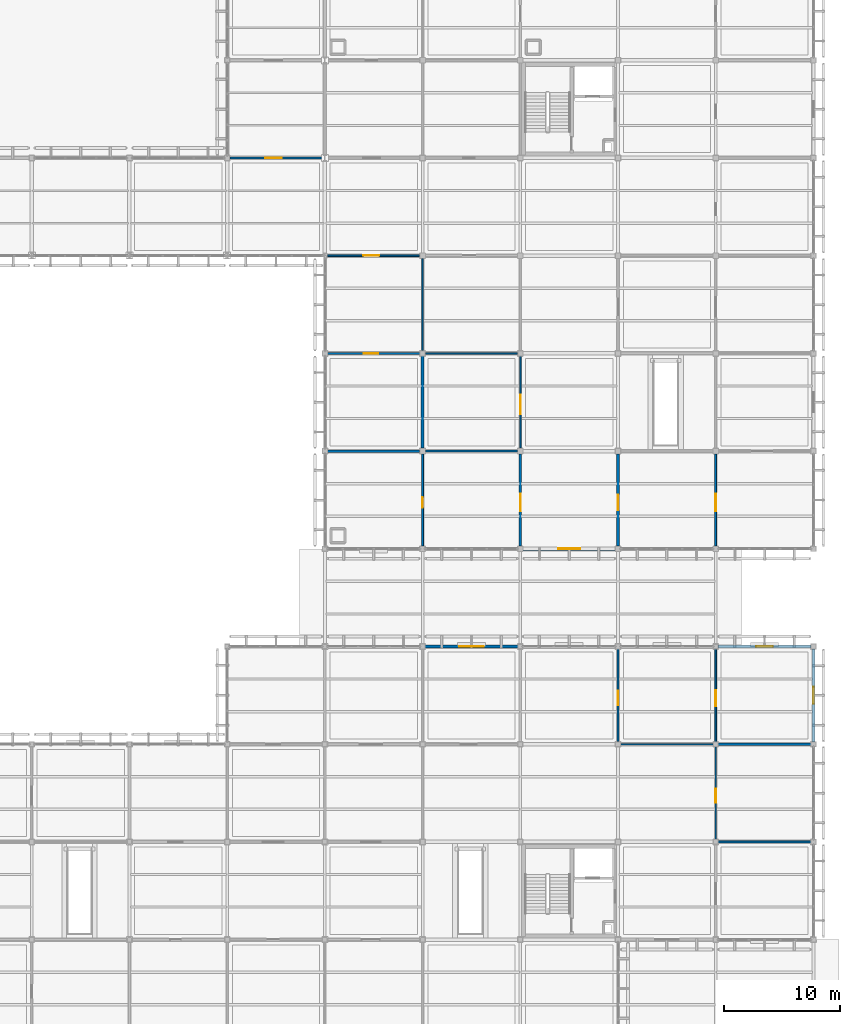
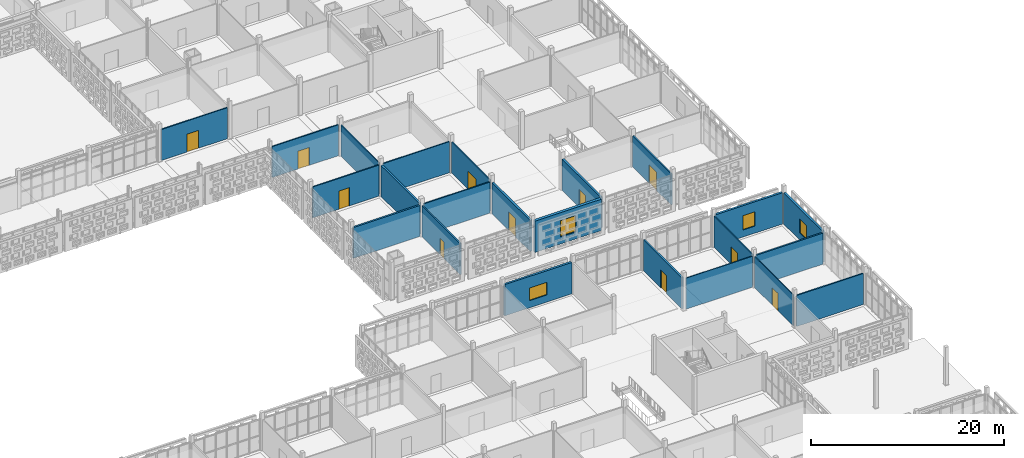
# One storey, part 126 of 203: 23 walls, 11 doors, 4 windows, 15 openings.
"""IFC4 building model written with IfcOpenShell, lengths in metres."""

from ifc_helpers import new_model, si_unit, direction, frame, frame_2d, origin, place, context, subcontext, project, spatial, rectangle, extrude, material, layer, layer_set, type_object, element, fill, save


model = new_model("IFC4")

# Units and contexts
model_context = context("Model", 3, precision=1e-05, world=origin(), true_north=direction((0.0, 1.0)))
body_context = subcontext(model_context, "Body", "Model", "MODEL_VIEW")
ifc_project = project(units=[si_unit("LENGTHUNIT", "METRE"), si_unit("AREAUNIT", "SQUARE_METRE"), si_unit("VOLUMEUNIT", "CUBIC_METRE"), si_unit("PLANEANGLEUNIT", "RADIAN"), si_unit("MASSUNIT", "GRAM", prefix="KILO")], contexts=[model_context])

# Site, building, storey
site_placement = place(None, origin())
site = spatial("IfcSite", under=ifc_project, at=site_placement, CompositionType="ELEMENT")
building_placement = place(site_placement, origin())
building = spatial("IfcBuilding", under=site, at=building_placement, Name="Varnapada Polytechnic", CompositionType="ELEMENT")
storey_placement = place(building_placement, frame((0.0, 0.0, 4.800048828125)))
storey = spatial("IfcBuildingStorey", under=building, at=storey_placement, Name="L01", CompositionType="ELEMENT", Elevation=4.800048828125)

# Wall, opening, door
ifc_material_1 = material(Name="Autoclaved Aerated Concrete Block AAC-600", Category="concrete")
ifc_layer_1 = layer(ifc_material_1, 0.14990234375)
ifc_layer_set_1 = layer_set([ifc_layer_1], Name="Autoclaved Aerated Concrete Block AAC-600")
wall_type_1 = type_object("IfcWallType", Name="Interior Wall IW-02", PredefinedType="PARTITIONING", material=ifc_layer_set_1)
wall_1_placement = place(storey_placement, frame((134.6298828125, 75.60009765625, 0.0), z_axis=(0.0, 0.0, 1.0), x_axis=(1.0, 0.0, 0.0)))
wall_1 = element("IfcWall", 1, at=wall_1_placement, inside=storey, type_object=wall_type_1, Name="L01 interior partition IW-L01-16-08-H", PredefinedType="PARTITIONING", context=body_context, shape_type="SweptSolid", body=[
    extrude(rectangle(XDim=7.93017578125, YDim=0.14990234375, at=frame_2d((3.965087890625, 0.0))), origin(), (0.0, 0.0, 1.0), 3.909912109375),
])
opening_1_placement = place(wall_1_placement, frame((3.125, 0.0, 0.0)))
opening_1 = element("IfcOpeningElement", 2, at=opening_1_placement, cuts=wall_1, Name="Opening D-1051", PredefinedType="OPENING", context=body_context, shape_type="SweptSolid", body=[
    extrude(rectangle(XDim=1.25, YDim=2.300048828125, at=frame_2d((0.625, 1.14990234375))), frame((0.0, 0.0849609375, 0.0), z_axis=(0.0, -1.0, 0.0), x_axis=(1.0, 0.0, 0.0)), (0.0, 0.0, 1.0), 0.169921875),
])
ifc_material_2 = material(Name="Solid Teak Hardwood Timber", Category="wood")
door_type_1 = type_object("IfcDoorType", Name="Interior Door ID-16", OperationType="NOTDEFINED", PredefinedType="DOOR", material=ifc_material_2)
door_1_placement = place(opening_1_placement, origin())
door_1 = element("IfcDoor", 3, at=door_1_placement, inside=storey, type_object=door_type_1, Name="L01 interior room door D-1051", OperationType="SINGLE_SWING_RIGHT", OverallHeight=2.300048828125, OverallWidth=1.25, PredefinedType="DOOR", context=body_context, shape_type="SweptSolid", body=[
    extrude(rectangle(XDim=1.25, YDim=2.300048828125, at=frame_2d((0.625, 1.14990234375))), frame((0.0, 0.02490234375, 0.0), z_axis=(0.0, -1.0, 0.0), x_axis=(1.0, 0.0, 0.0)), (0.0, 0.0, 1.0), 0.050048828125),
])
fill(opening_1, door_1)

# Walls
wall_2_placement = place(storey_placement, frame((143.050048828125, 67.199951171875, 0.0), z_axis=(0.0, 0.0, 1.0), x_axis=(1.0, 0.0, 0.0)))
element("IfcWall", 4, at=wall_2_placement, inside=storey, type_object=wall_type_1, Name="L01 interior partition IW-L01-17-07-H", PredefinedType="PARTITIONING", context=body_context, shape_type="SweptSolid", body=[
    extrude(rectangle(XDim=7.89990234375, YDim=0.14990234375, at=frame_2d((3.949951171875, 0.0))), origin(), (0.0, 0.0, 1.0), 3.919921875),
])
ifc_material_3 = material(Name="Gypsum Plasterboard Acoustic Partition")
ifc_layer_2 = layer(ifc_material_3, 0.125)
ifc_layer_set_2 = layer_set([ifc_layer_2], Name="Gypsum Plasterboard Acoustic Partition")
wall_type_2 = type_object("IfcWallType", Name="Interior Wall IW-03", PredefinedType="PARTITIONING", material=ifc_layer_set_2)
wall_3_placement = place(storey_placement, frame((142.800048828125, 75.840087890625, 0.0), z_axis=(0.0, 0.0, 1.0), x_axis=(0.0, 1.0, 0.0)))
element("IfcWall", 5, at=wall_3_placement, inside=storey, type_object=wall_type_2, Name="L01 interior partition IW-L01-16-09-V", PredefinedType="PARTITIONING", context=body_context, shape_type="SweptSolid", body=[
    extrude(rectangle(XDim=7.909912109375, YDim=0.125, at=frame_2d((3.955078125, 0.0))), origin(), (0.0, 0.0, 1.0), 3.919921875),
])

# Wall, opening, door
wall_4_placement = place(storey_placement, frame((151.199951171875, 67.449951171875, 0.0), z_axis=(0.0, 0.0, 1.0), x_axis=(0.0, 1.0, 0.0)))
wall_4 = element("IfcWall", 6, at=wall_4_placement, inside=storey, type_object=wall_type_2, Name="L01 interior partition IW-L01-17-08-V", PredefinedType="PARTITIONING", context=body_context, shape_type="SweptSolid", body=[
    extrude(rectangle(XDim=7.91015625, YDim=0.125, at=frame_2d((3.955078125, 0.0))), origin(), (0.0, 0.0, 1.0), 3.919921875),
])
opening_2_placement = place(wall_4_placement, frame((2.925048828125, 0.0, 0.0)))
opening_2 = element("IfcOpeningElement", 7, at=opening_2_placement, cuts=wall_4, Name="Opening D-1060", PredefinedType="OPENING", context=body_context, shape_type="SweptSolid", body=[
    extrude(rectangle(XDim=1.64990234375, YDim=2.25, at=frame_2d((0.824951171875, 1.125))), frame((0.0, 0.072509765625, 0.0), z_axis=(0.0, -1.0, 0.0), x_axis=(1.0, 0.0, 0.0)), (0.0, 0.0, 1.0), 0.14501953125),
])
door_type_2 = type_object("IfcDoorType", Name="Interior Door ID-08", OperationType="NOTDEFINED", PredefinedType="DOOR", material=ifc_material_2)
door_2_placement = place(opening_2_placement, origin())
door_2 = element("IfcDoor", 8, at=door_2_placement, inside=storey, type_object=door_type_2, Name="L01 interior room door D-1060", OperationType="SINGLE_SWING_LEFT", OverallHeight=2.25, OverallWidth=1.64990234375, PredefinedType="DOOR", context=body_context, shape_type="SweptSolid", body=[
    extrude(rectangle(XDim=1.64990234375, YDim=2.25, at=frame_2d((0.824951171875, 1.125))), frame((0.0, 0.02490234375, 0.0), z_axis=(0.0, -1.0, 0.0), x_axis=(1.0, 0.0, 0.0)), (0.0, 0.0, 1.0), 0.050048828125),
])
fill(opening_2, door_2)

ifc_material_4 = material(Name="Moisture-Resistant Cement Board Partition")
ifc_layer_3 = layer(ifc_material_4, 0.139892578125)
ifc_layer_set_3 = layer_set([ifc_layer_3], Name="Moisture-Resistant Cement Board Partition")
wall_type_3 = type_object("IfcWallType", Name="Interior Wall IW-04", PredefinedType="PARTITIONING", material=ifc_layer_set_3)
wall_5_placement = place(storey_placement, frame((134.639892578125, 84.0, 0.0), z_axis=(0.0, 0.0, 1.0), x_axis=(1.0, 0.0, 0.0)))
wall_5 = element("IfcWall", 9, at=wall_5_placement, inside=storey, type_object=wall_type_3, Name="L01 interior partition IW-L01-16-09-H", PredefinedType="PARTITIONING", context=body_context, shape_type="SweptSolid", body=[
    extrude(rectangle(XDim=7.91015625, YDim=0.139892578125, at=frame_2d((3.955078125, 0.0))), origin(), (0.0, 0.0, 1.0), 3.909912109375),
])
opening_3_placement = place(wall_5_placement, frame((3.074951171875, 0.0, 0.0)))
opening_3 = element("IfcOpeningElement", 10, at=opening_3_placement, cuts=wall_5, Name="Opening D-1052", PredefinedType="OPENING", context=body_context, shape_type="SweptSolid", body=[
    extrude(rectangle(XDim=1.35009765625, YDim=2.25, at=frame_2d((0.675048828125, 1.125))), frame((0.0, 0.079833984375, 0.0), z_axis=(0.0, -1.0, 0.0), x_axis=(1.0, 0.0, 0.0)), (0.0, 0.0, 1.0), 0.159912109375),
])
ifc_material_5 = material(Name="Powder-Coated Aluminium 6063-T6", Category="aluminium")
door_type_3 = type_object("IfcDoorType", Name="Interior Door ID-17", OperationType="NOTDEFINED", PredefinedType="DOOR", material=ifc_material_5)
door_3_placement = place(opening_3_placement, frame((1.35009765625, 0.0, 0.0), z_axis=(0.0, 0.0, 1.0), x_axis=(-1.0, 0.0, 0.0)))
door_3 = element("IfcDoor", 11, at=door_3_placement, inside=storey, type_object=door_type_3, Name="L01 interior room door D-1052", OperationType="SINGLE_SWING_LEFT", OverallHeight=2.25, OverallWidth=1.35009765625, PredefinedType="DOOR", context=body_context, shape_type="SweptSolid", body=[
    extrude(rectangle(XDim=1.35009765625, YDim=2.25, at=frame_2d((0.675048828125, 1.125))), frame((0.0, 0.02490234375, 0.0), z_axis=(0.0, -1.0, 0.0), x_axis=(1.0, 0.0, 0.0)), (0.0, 0.0, 1.0), 0.050048828125),
])
fill(opening_3, door_3)

# Walls
wall_6_placement = place(storey_placement, frame((143.0400390625, 75.60009765625, 0.0), z_axis=(0.0, 0.0, 1.0), x_axis=(1.0, 0.0, 0.0)))
element("IfcWall", 12, at=wall_6_placement, inside=storey, type_object=wall_type_3, Name="L01 interior partition IW-L01-17-08-H", PredefinedType="PARTITIONING", context=body_context, shape_type="SweptSolid", body=[
    extrude(rectangle(XDim=7.919921875, YDim=0.139892578125, at=frame_2d((3.9599609375, 0.0))), origin(), (0.0, 0.0, 1.0), 3.919921875),
])
ifc_material_6 = material(Name="Cross-laminated timber CLT C24", Category="wood")
ifc_layer_4 = layer(ifc_material_6, 0.159912109375)
ifc_layer_set_4 = layer_set([ifc_layer_4], Name="Cross-laminated timber CLT C24")
wall_type_4 = type_object("IfcWallType", Name="Interior Wall IW-05", PredefinedType="PARTITIONING", material=ifc_layer_set_4)
wall_7_placement = place(storey_placement, frame((168.2099609375, 33.60009765625, 0.0), z_axis=(0.0, 0.0, 1.0), x_axis=(1.0, 0.0, 0.0)))
element("IfcWall", 13, at=wall_7_placement, inside=storey, type_object=wall_type_4, Name="L01 interior partition IW-L01-20-03-H", PredefinedType="PARTITIONING", context=body_context, shape_type="SweptSolid", body=[
    extrude(rectangle(XDim=7.969970703125, YDim=0.159912109375, at=frame_2d((3.98486328125, 0.0))), origin(), (0.0, 0.0, 1.0), 3.919921875),
])
ifc_material_7 = material(Name="Acoustic Double-Stud Studio Partition")
ifc_layer_5 = layer(ifc_material_7, 0.179931640625)
ifc_layer_set_5 = layer_set([ifc_layer_5], Name="Acoustic Double-Stud Studio Partition")
wall_type_5 = type_object("IfcWallType", Name="Interior Wall IW-06", PredefinedType="PARTITIONING", material=ifc_layer_set_5)
wall_8_placement = place(storey_placement, frame((168.2099609375, 42.0, 0.0), z_axis=(0.0, 0.0, 1.0), x_axis=(1.0, 0.0, 0.0)))
element("IfcWall", 14, at=wall_8_placement, inside=storey, type_object=wall_type_5, Name="L01 interior partition IW-L01-20-04-H", PredefinedType="PARTITIONING", context=body_context, shape_type="SweptSolid", body=[
    extrude(rectangle(XDim=7.969970703125, YDim=0.179931640625, at=frame_2d((3.98486328125, 0.0))), origin(), (0.0, 0.0, 1.0), 3.919921875),
])

# Wall, opening, door
ifc_material_8 = material(Name="Glazed Timber-Framed Studio Screen", Category="wood")
ifc_layer_6 = layer(ifc_material_8, 0.110107421875)
ifc_layer_set_6 = layer_set([ifc_layer_6], Name="Glazed Timber-Framed Studio Screen")
wall_type_6 = type_object("IfcWallType", Name="Interior Wall IW-07", PredefinedType="PARTITIONING", material=ifc_layer_set_6)
wall_9_placement = place(storey_placement, frame((168.0, 33.81005859375, 0.0), z_axis=(0.0, 0.0, 1.0), x_axis=(0.0, 1.0, 0.0)))
wall_9 = element("IfcWall", 15, at=wall_9_placement, inside=storey, type_object=wall_type_6, Name="L01 interior partition IW-L01-19-04-V", PredefinedType="PARTITIONING", context=body_context, shape_type="SweptSolid", body=[
    extrude(rectangle(XDim=7.97998046875, YDim=0.110107421875, at=frame_2d((3.989990234375, 0.0))), origin(), (0.0, 0.0, 1.0), 3.919921875),
])
opening_4_placement = place(wall_9_placement, frame((3.14990234375, 0.0, 0.0)))
opening_4 = element("IfcOpeningElement", 16, at=opening_4_placement, cuts=wall_9, Name="Opening D-1074", PredefinedType="OPENING", context=body_context, shape_type="SweptSolid", body=[
    extrude(rectangle(XDim=1.199951171875, YDim=2.199951171875, at=frame_2d((0.60009765625, 1.10009765625))), frame((0.0, 0.06494140625, 0.0), z_axis=(0.0, -1.0, 0.0), x_axis=(1.0, 0.0, 0.0)), (0.0, 0.0, 1.0), 0.130126953125),
])
door_type_4 = type_object("IfcDoorType", Name="Interior Door ID-05", OperationType="NOTDEFINED", PredefinedType="DOOR", material=ifc_material_2)
door_4_placement = place(opening_4_placement, origin())
door_4 = element("IfcDoor", 17, at=door_4_placement, inside=storey, type_object=door_type_4, Name="L01 interior room door D-1074", OperationType="SINGLE_SWING_LEFT", OverallHeight=2.199951171875, OverallWidth=1.199951171875, PredefinedType="DOOR", context=body_context, shape_type="SweptSolid", body=[
    extrude(rectangle(XDim=1.199951171875, YDim=2.199951171875, at=frame_2d((0.60009765625, 1.10009765625))), frame((0.0, 0.02490234375, 0.0), z_axis=(0.0, -1.0, 0.0), x_axis=(1.0, 0.0, 0.0)), (0.0, 0.0, 1.0), 0.050048828125),
])
fill(opening_4, door_4)

# Wall
ifc_material_9 = material(Name="Operable Acoustic Seminar Partition")
ifc_layer_7 = layer(ifc_material_9, 0.10009765625)
ifc_layer_set_7 = layer_set([ifc_layer_7], Name="Operable Acoustic Seminar Partition")
wall_type_7 = type_object("IfcWallType", Name="Interior Wall IW-08", PredefinedType="MOVABLE", material=ifc_layer_set_7)
wall_10_placement = place(storey_placement, frame((159.820068359375, 42.0, 0.0), z_axis=(0.0, 0.0, 1.0), x_axis=(1.0, 0.0, 0.0)))
element("IfcWall", 18, at=wall_10_placement, inside=storey, type_object=wall_type_7, Name="L01 interior partition IW-L01-19-04-H", PredefinedType="MOVABLE", context=body_context, shape_type="SweptSolid", body=[
    extrude(rectangle(XDim=7.969970703125, YDim=0.10009765625, at=frame_2d((3.98486328125, 0.0))), origin(), (0.0, 0.0, 1.0), 3.919921875),
])

# Wall, opening, door
ifc_material_10 = material(Name="Calcium Silicate Acoustic Lab Partition")
ifc_layer_8 = layer(ifc_material_10, 0.135009765625)
ifc_layer_set_8 = layer_set([ifc_layer_8], Name="Calcium Silicate Acoustic Lab Partition")
wall_type_8 = type_object("IfcWallType", Name="Interior Wall IW-09", PredefinedType="PARTITIONING", material=ifc_layer_set_8)
wall_11_placement = place(storey_placement, frame((168.0, 42.2099609375, 0.0), z_axis=(0.0, 0.0, 1.0), x_axis=(0.0, 1.0, 0.0)))
wall_11 = element("IfcWall", 19, at=wall_11_placement, inside=storey, type_object=wall_type_8, Name="L01 interior partition IW-L01-19-05-V", PredefinedType="PARTITIONING", context=body_context, shape_type="SweptSolid", body=[
    extrude(rectangle(XDim=7.97998046875, YDim=0.135009765625, at=frame_2d((3.989990234375, 0.0))), origin(), (0.0, 0.0, 1.0), 3.919921875),
])
opening_5_placement = place(wall_11_placement, frame((3.050048828125, 0.0, 0.0)))
opening_5 = element("IfcOpeningElement", 20, at=opening_5_placement, cuts=wall_11, Name="Opening D-1075", PredefinedType="OPENING", context=body_context, shape_type="SweptSolid", body=[
    extrude(rectangle(XDim=1.39990234375, YDim=2.25, at=frame_2d((0.699951171875, 1.125))), frame((0.0, 0.077392578125, 0.0), z_axis=(0.0, -1.0, 0.0), x_axis=(1.0, 0.0, 0.0)), (0.0, 0.0, 1.0), 0.155029296875),
])
door_type_5 = type_object("IfcDoorType", Name="Interior Door ID-06", OperationType="NOTDEFINED", PredefinedType="DOOR", material=ifc_material_5)
door_5_placement = place(opening_5_placement, origin())
door_5 = element("IfcDoor", 21, at=door_5_placement, inside=storey, type_object=door_type_5, Name="L01 interior room door D-1075", OperationType="SINGLE_SWING_RIGHT", OverallHeight=2.25, OverallWidth=1.39990234375, PredefinedType="DOOR", context=body_context, shape_type="SweptSolid", body=[
    extrude(rectangle(XDim=1.39990234375, YDim=2.25, at=frame_2d((0.699951171875, 1.125))), frame((0.0, 0.02490234375, 0.0), z_axis=(0.0, -1.0, 0.0), x_axis=(1.0, 0.0, 0.0)), (0.0, 0.0, 1.0), 0.050048828125),
])
fill(opening_5, door_5)

ifc_material_11 = material(Name="Double-Layer Fireboard Workshop Wall")
ifc_layer_9 = layer(ifc_material_11, 0.169921875)
ifc_layer_set_9 = layer_set([ifc_layer_9], Name="Double-Layer Fireboard Workshop Wall")
wall_type_9 = type_object("IfcWallType", Name="Interior Wall IW-10", PredefinedType="PARTITIONING", material=ifc_layer_set_9)
wall_12_placement = place(storey_placement, frame((168.0, 59.0400390625, 0.0), z_axis=(0.0, 0.0, 1.0), x_axis=(0.0, 1.0, 0.0)))
wall_12 = element("IfcWall", 22, at=wall_12_placement, inside=storey, type_object=wall_type_9, Name="L01 interior partition IW-L01-19-07-V", PredefinedType="PARTITIONING", context=body_context, shape_type="SweptSolid", body=[
    extrude(rectangle(XDim=7.909912109375, YDim=0.169921875, at=frame_2d((3.955078125, 0.0))), origin(), (0.0, 0.0, 1.0), 3.919921875),
])
opening_6_placement = place(wall_12_placement, frame((3.0, 0.0, 0.0)))
opening_6 = element("IfcOpeningElement", 23, at=opening_6_placement, cuts=wall_12, Name="Opening D-1076", PredefinedType="OPENING", context=body_context, shape_type="SweptSolid", body=[
    extrude(rectangle(XDim=1.5, YDim=2.300048828125, at=frame_2d((0.75, 1.14990234375))), frame((0.0, 0.094970703125, 0.0), z_axis=(0.0, -1.0, 0.0), x_axis=(1.0, 0.0, 0.0)), (0.0, 0.0, 1.0), 0.18994140625),
])
ifc_material_12 = material(Name="Galvanized Steel Z275", Category="steel")
door_type_6 = type_object("IfcDoorType", Name="Interior Door ID-07", OperationType="NOTDEFINED", PredefinedType="DOOR", material=ifc_material_12)
door_6_placement = place(opening_6_placement, frame((1.5, 0.0, 0.0), z_axis=(0.0, 0.0, 1.0), x_axis=(-1.0, 0.0, 0.0)))
door_6 = element("IfcDoor", 24, at=door_6_placement, inside=storey, type_object=door_type_6, Name="L01 interior room door D-1076", OperationType="SINGLE_SWING_LEFT", OverallHeight=2.300048828125, OverallWidth=1.5, PredefinedType="DOOR", context=body_context, shape_type="SweptSolid", body=[
    extrude(rectangle(XDim=1.5, YDim=2.300048828125, at=frame_2d((0.75, 1.14990234375))), frame((0.0, 0.02490234375, 0.0), z_axis=(0.0, -1.0, 0.0), x_axis=(1.0, 0.0, 0.0)), (0.0, 0.0, 1.0), 0.050048828125),
])
fill(opening_6, door_6)

ifc_material_13 = material(Name="Ceramic-Tiled Wet Laboratory Wall")
ifc_layer_10 = layer(ifc_material_13, 0.14501953125)
ifc_layer_set_10 = layer_set([ifc_layer_10], Name="Ceramic-Tiled Wet Laboratory Wall")
wall_type_10 = type_object("IfcWallType", Name="Interior Wall IW-14", PredefinedType="PARTITIONING", material=ifc_layer_set_10)
wall_13_placement = place(storey_placement, frame((126.22998046875, 92.39990234375, 0.0), z_axis=(0.0, 0.0, 1.0), x_axis=(1.0, 0.0, 0.0)))
wall_13 = element("IfcWall", 25, at=wall_13_placement, inside=storey, type_object=wall_type_10, Name="L01 interior partition IW-L01-15-10-H", PredefinedType="PARTITIONING", context=body_context, shape_type="SweptSolid", body=[
    extrude(rectangle(XDim=7.89990234375, YDim=0.14501953125, at=frame_2d((3.949951171875, 0.0))), origin(), (0.0, 0.0, 1.0), 3.919921875),
])
opening_7_placement = place(wall_13_placement, frame((3.050048828125, 0.0, 0.0)))
opening_7 = element("IfcOpeningElement", 26, at=opening_7_placement, cuts=wall_13, Name="Opening D-1041", PredefinedType="OPENING", context=body_context, shape_type="SweptSolid", body=[
    extrude(rectangle(XDim=1.39990234375, YDim=2.25, at=frame_2d((0.699951171875, 1.125))), frame((0.0, 0.08251953125, 0.0), z_axis=(0.0, -1.0, 0.0), x_axis=(1.0, 0.0, 0.0)), (0.0, 0.0, 1.0), 0.1650390625),
])
door_7_placement = place(opening_7_placement, origin())
door_7 = element("IfcDoor", 27, at=door_7_placement, inside=storey, type_object=door_type_5, Name="L01 interior room door D-1041", OperationType="SINGLE_SWING_RIGHT", OverallHeight=2.25, OverallWidth=1.39990234375, PredefinedType="DOOR", context=body_context, shape_type="SweptSolid", body=[
    extrude(rectangle(XDim=1.39990234375, YDim=2.25, at=frame_2d((0.699951171875, 1.125))), frame((0.0, 0.02490234375, 0.0), z_axis=(0.0, -1.0, 0.0), x_axis=(1.0, 0.0, 0.0)), (0.0, 0.0, 1.0), 0.050048828125),
])
fill(opening_7, door_7)

ifc_material_14 = material(Name="Perforated Timber-Lined Seminar Wall", Category="wood")
ifc_layer_11 = layer(ifc_material_14, 0.155029296875)
ifc_layer_set_11 = layer_set([ifc_layer_11], Name="Perforated Timber-Lined Seminar Wall")
wall_type_11 = type_object("IfcWallType", Name="Interior Wall IW-15", PredefinedType="PARTITIONING", material=ifc_layer_set_11)
wall_14_placement = place(storey_placement, frame((142.800048828125, 59.0400390625, 0.0), z_axis=(0.0, 0.0, 1.0), x_axis=(0.0, 1.0, 0.0)))
wall_14 = element("IfcWall", 28, at=wall_14_placement, inside=storey, type_object=wall_type_11, Name="L01 interior partition IW-L01-16-07-V", PredefinedType="PARTITIONING", context=body_context, shape_type="SweptSolid", body=[
    extrude(rectangle(XDim=7.909912109375, YDim=0.155029296875, at=frame_2d((3.955078125, 0.0))), origin(), (0.0, 0.0, 1.0), 3.919921875),
])
opening_8_placement = place(wall_14_placement, frame((3.300048828125, 0.0, 0.0)))
opening_8 = element("IfcOpeningElement", 29, at=opening_8_placement, cuts=wall_14, Name="Opening D-1050", PredefinedType="OPENING", context=body_context, shape_type="SweptSolid", body=[
    extrude(rectangle(XDim=0.89990234375, YDim=2.10009765625, at=frame_2d((0.449951171875, 1.050048828125))), frame((0.0, 0.08740234375, 0.0), z_axis=(0.0, -1.0, 0.0), x_axis=(1.0, 0.0, 0.0)), (0.0, 0.0, 1.0), 0.175048828125),
])
ifc_material_15 = material(Name="Moisture-Resistant HPL Timber", Category="wood")
door_type_7 = type_object("IfcDoorType", Name="Interior Door ID-15", OperationType="NOTDEFINED", PredefinedType="DOOR", material=ifc_material_15)
door_8_placement = place(opening_8_placement, origin())
door_8 = element("IfcDoor", 30, at=door_8_placement, inside=storey, type_object=door_type_7, Name="L01 interior room door D-1050", OperationType="SINGLE_SWING_LEFT", OverallHeight=2.10009765625, OverallWidth=0.89990234375, PredefinedType="DOOR", context=body_context, shape_type="SweptSolid", body=[
    extrude(rectangle(XDim=0.89990234375, YDim=2.10009765625, at=frame_2d((0.449951171875, 1.050048828125))), frame((0.0, 0.02490234375, 0.0), z_axis=(0.0, -1.0, 0.0), x_axis=(1.0, 0.0, 0.0)), (0.0, 0.0, 1.0), 0.050048828125),
])
fill(opening_8, door_8)

# Wall
ifc_material_16 = material(Name="Heavy Masonry Workshop Partition", Category="masonry")
ifc_layer_12 = layer(ifc_material_16, 0.2099609375)
ifc_layer_set_12 = layer_set([ifc_layer_12], Name="Heavy Masonry Workshop Partition")
wall_type_12 = type_object("IfcWallType", Name="Interior Wall IW-16", PredefinedType="PARTITIONING", material=ifc_layer_set_12)
wall_15_placement = place(storey_placement, frame((134.6298828125, 67.199951171875, 0.0), z_axis=(0.0, 0.0, 1.0), x_axis=(1.0, 0.0, 0.0)))
element("IfcWall", 31, at=wall_15_placement, inside=storey, type_object=wall_type_12, Name="L01 interior partition IW-L01-16-07-H", PredefinedType="PARTITIONING", context=body_context, shape_type="SweptSolid", body=[
    extrude(rectangle(XDim=7.920166015625, YDim=0.2099609375, at=frame_2d((3.9599609375, 0.0))), origin(), (0.0, 0.0, 1.0), 3.909912109375),
])

# Wall, opening, door
wall_16_placement = place(storey_placement, frame((159.60009765625, 42.219970703125, 0.0), z_axis=(0.0, 0.0, 1.0), x_axis=(0.0, 1.0, 0.0)))
wall_16 = element("IfcWall", 32, at=wall_16_placement, inside=storey, type_object=wall_type_12, Name="L01 interior partition IW-L01-18-05-V", PredefinedType="PARTITIONING", context=body_context, shape_type="SweptSolid", body=[
    extrude(rectangle(XDim=7.9599609375, YDim=0.2099609375, at=frame_2d((3.97998046875, 0.0))), origin(), (0.0, 0.0, 1.0), 3.919921875),
])
opening_9_placement = place(wall_16_placement, frame((3.125, 0.0, 0.0)))
opening_9 = element("IfcOpeningElement", 33, at=opening_9_placement, cuts=wall_16, Name="Opening D-1068", PredefinedType="OPENING", context=body_context, shape_type="SweptSolid", body=[
    extrude(rectangle(XDim=1.25, YDim=2.300048828125, at=frame_2d((0.625, 1.14990234375))), frame((0.0, 0.114990234375, 0.0), z_axis=(0.0, -1.0, 0.0), x_axis=(1.0, 0.0, 0.0)), (0.0, 0.0, 1.0), 0.22998046875),
])
door_9_placement = place(opening_9_placement, origin())
door_9 = element("IfcDoor", 34, at=door_9_placement, inside=storey, type_object=door_type_1, Name="L01 interior room door D-1068", OperationType="SINGLE_SWING_LEFT", OverallHeight=2.300048828125, OverallWidth=1.25, PredefinedType="DOOR", context=body_context, shape_type="SweptSolid", body=[
    extrude(rectangle(XDim=1.25, YDim=2.300048828125, at=frame_2d((0.625, 1.14990234375))), frame((0.0, 0.02490234375, 0.0), z_axis=(0.0, -1.0, 0.0), x_axis=(1.0, 0.0, 0.0)), (0.0, 0.0, 1.0), 0.050048828125),
])
fill(opening_9, door_9)

# Wall
ifc_material_17 = material(Name="Double-Leaf Acoustic Lecture Wall")
ifc_layer_13 = layer(ifc_material_17, 0.235107421875)
ifc_layer_set_13 = layer_set([ifc_layer_13], Name="Double-Leaf Acoustic Lecture Wall")
wall_type_13 = type_object("IfcWallType", Name="Interior Wall IW-17", PredefinedType="PARTITIONING", material=ifc_layer_set_13)
wall_17_placement = place(storey_placement, frame((142.800048828125, 67.449951171875, 0.0), z_axis=(0.0, 0.0, 1.0), x_axis=(0.0, 1.0, 0.0)))
element("IfcWall", 35, at=wall_17_placement, inside=storey, type_object=wall_type_13, Name="L01 interior partition IW-L01-16-08-V", PredefinedType="PARTITIONING", context=body_context, shape_type="SweptSolid", body=[
    extrude(rectangle(XDim=7.91015625, YDim=0.235107421875, at=frame_2d((3.955078125, 0.0))), origin(), (0.0, 0.0, 1.0), 3.919921875),
])

# Wall, opening, door
wall_18_placement = place(storey_placement, frame((151.199951171875, 59.0400390625, 0.0), z_axis=(0.0, 0.0, 1.0), x_axis=(0.0, 1.0, 0.0)))
wall_18 = element("IfcWall", 36, at=wall_18_placement, inside=storey, type_object=wall_type_13, Name="L01 interior partition IW-L01-17-07-V", PredefinedType="PARTITIONING", context=body_context, shape_type="SweptSolid", body=[
    extrude(rectangle(XDim=7.909912109375, YDim=0.235107421875, at=frame_2d((3.955078125, 0.0))), origin(), (0.0, 0.0, 1.0), 3.919921875),
])
opening_10_placement = place(wall_18_placement, frame((3.0, 0.0, 0.0)))
opening_10 = element("IfcOpeningElement", 37, at=opening_10_placement, cuts=wall_18, Name="Opening D-1059", PredefinedType="OPENING", context=body_context, shape_type="SweptSolid", body=[
    extrude(rectangle(XDim=1.5, YDim=2.300048828125, at=frame_2d((0.75, 1.14990234375))), frame((0.0, 0.12744140625, 0.0), z_axis=(0.0, -1.0, 0.0), x_axis=(1.0, 0.0, 0.0)), (0.0, 0.0, 1.0), 0.255126953125),
])
door_10_placement = place(opening_10_placement, origin())
door_10 = element("IfcDoor", 38, at=door_10_placement, inside=storey, type_object=door_type_6, Name="L01 interior room door D-1059", OperationType="SINGLE_SWING_RIGHT", OverallHeight=2.300048828125, OverallWidth=1.5, PredefinedType="DOOR", context=body_context, shape_type="SweptSolid", body=[
    extrude(rectangle(XDim=1.5, YDim=2.300048828125, at=frame_2d((0.75, 1.14990234375))), frame((0.0, 0.02490234375, 0.0), z_axis=(0.0, -1.0, 0.0), x_axis=(1.0, 0.0, 0.0)), (0.0, 0.0, 1.0), 0.050048828125),
])
fill(opening_10, door_10)

wall_19_placement = place(storey_placement, frame((159.60009765625, 59.0400390625, 0.0), z_axis=(0.0, 0.0, 1.0), x_axis=(0.0, 1.0, 0.0)))
wall_19 = element("IfcWall", 39, at=wall_19_placement, inside=storey, type_object=wall_type_13, Name="L01 interior partition IW-L01-18-07-V", PredefinedType="PARTITIONING", context=body_context, shape_type="SweptSolid", body=[
    extrude(rectangle(XDim=7.909912109375, YDim=0.235107421875, at=frame_2d((3.955078125, 0.0))), origin(), (0.0, 0.0, 1.0), 3.919921875),
])
opening_11_placement = place(wall_19_placement, frame((3.074951171875, 0.0, 0.0)))
opening_11 = element("IfcOpeningElement", 40, at=opening_11_placement, cuts=wall_19, Name="Opening D-1069", PredefinedType="OPENING", context=body_context, shape_type="SweptSolid", body=[
    extrude(rectangle(XDim=1.35009765625, YDim=2.25, at=frame_2d((0.675048828125, 1.125))), frame((0.0, 0.12744140625, 0.0), z_axis=(0.0, -1.0, 0.0), x_axis=(1.0, 0.0, 0.0)), (0.0, 0.0, 1.0), 0.255126953125),
])
door_11_placement = place(opening_11_placement, origin())
door_11 = element("IfcDoor", 41, at=door_11_placement, inside=storey, type_object=door_type_3, Name="L01 interior room door D-1069", OperationType="SINGLE_SWING_RIGHT", OverallHeight=2.25, OverallWidth=1.35009765625, PredefinedType="DOOR", context=body_context, shape_type="SweptSolid", body=[
    extrude(rectangle(XDim=1.35009765625, YDim=2.25, at=frame_2d((0.675048828125, 1.125))), frame((0.0, 0.02490234375, 0.0), z_axis=(0.0, -1.0, 0.0), x_axis=(1.0, 0.0, 0.0)), (0.0, 0.0, 1.0), 0.050048828125),
])
fill(opening_11, door_11)

# Wall, opening, window
ifc_material_18 = material(Name="Precast concrete C40/50", Category="concrete")
ifc_layer_14 = layer(ifc_material_18, 0.25)
ifc_layer_set_14 = layer_set([ifc_layer_14], Name="Precast concrete C40/50")
wall_type_14 = type_object("IfcWallType", Name="Wall EW-05", PredefinedType="SOLIDWALL", material=ifc_layer_set_14)
wall_20_placement = place(storey_placement, frame((143.0, 50.39990234375, 0.0), z_axis=(0.0, 0.0, 1.0), x_axis=(1.0, 0.0, 0.0)))
wall_20 = element("IfcWall", 42, at=wall_20_placement, inside=storey, type_object=wall_type_14, Name="L01 exterior wall EW-05 (121)", PredefinedType="SOLIDWALL", context=body_context, shape_type="SweptSolid", body=[
    extrude(rectangle(XDim=8.010009765625, YDim=0.25, at=frame_2d((4.0048828125, 0.0))), origin(), (0.0, 0.0, 1.0), 3.9599609375),
])
opening_12_placement = place(wall_20_placement, frame((2.955078125, 0.0, 0.89990234375)))
opening_12 = element("IfcOpeningElement", 43, at=opening_12_placement, cuts=wall_20, Name="Opening WN-07", PredefinedType="OPENING", context=body_context, shape_type="SweptSolid", body=[
    extrude(rectangle(XDim=2.10009765625, YDim=1.60009765625, at=frame_2d((1.050048828125, 0.800048828125))), frame((0.0, 0.135009765625, 0.0), z_axis=(0.0, -1.0, 0.0), x_axis=(1.0, 0.0, 0.0)), (0.0, 0.0, 1.0), 0.27001953125),
])
ifc_material_19 = material(Name="Double low-E laminated glass", Category="glass")
window_type_1 = type_object("IfcWindowType", Name="Window WN-07", PartitioningType="SINGLE_PANEL", PredefinedType="WINDOW", material=ifc_material_19)
window_1_placement = place(opening_12_placement, origin())
window_1 = element("IfcWindow", 44, at=window_1_placement, inside=storey, type_object=window_type_1, Name="L01 window WN-07 (93)", OverallHeight=1.60009765625, OverallWidth=2.10009765625, PartitioningType="SINGLE_PANEL", PredefinedType="WINDOW", context=body_context, shape_type="SweptSolid", body=[
    extrude(rectangle(XDim=2.10009765625, YDim=1.60009765625, at=frame_2d((1.050048828125, 0.800048828125))), frame((0.0, 0.030029296875, 0.0), z_axis=(0.0, -1.0, 0.0), x_axis=(1.0, 0.0, 0.0)), (0.0, 0.0, 1.0), 0.06005859375),
])
fill(opening_12, window_1)

wall_21_placement = place(storey_placement, frame((168.18994140625, 50.39990234375, 0.0), z_axis=(0.0, 0.0, 1.0), x_axis=(1.0, 0.0, 0.0)))
wall_21 = element("IfcWall", 45, at=wall_21_placement, inside=storey, type_object=wall_type_14, Name="L01 exterior wall EW-05 (142)", PredefinedType="SOLIDWALL", context=body_context, shape_type="SweptSolid", body=[
    extrude(rectangle(XDim=8.010009765625, YDim=0.25, at=frame_2d((4.0048828125, 0.0))), origin(), (0.0, 0.0, 1.0), 3.9599609375),
])
opening_13_placement = place(wall_21_placement, frame((3.280029296875, 0.0, 0.89990234375)))
opening_13 = element("IfcOpeningElement", 46, at=opening_13_placement, cuts=wall_21, Name="Opening WN-22", PredefinedType="OPENING", context=body_context, shape_type="SweptSolid", body=[
    extrude(rectangle(XDim=1.449951171875, YDim=1.800048828125, at=frame_2d((0.72509765625, 0.89990234375))), frame((0.0, 0.135009765625, 0.0), z_axis=(0.0, -1.0, 0.0), x_axis=(1.0, 0.0, 0.0)), (0.0, 0.0, 1.0), 0.27001953125),
])
window_type_2 = type_object("IfcWindowType", Name="Window WN-22", PartitioningType="SINGLE_PANEL", PredefinedType="WINDOW", material=ifc_material_19)
window_2_placement = place(opening_13_placement, origin())
window_2 = element("IfcWindow", 47, at=window_2_placement, inside=storey, type_object=window_type_2, Name="L01 window WN-22 (100)", OverallHeight=1.800048828125, OverallWidth=1.449951171875, PartitioningType="SINGLE_PANEL", PredefinedType="WINDOW", context=body_context, shape_type="SweptSolid", body=[
    extrude(rectangle(XDim=1.449951171875, YDim=1.800048828125, at=frame_2d((0.72509765625, 0.89990234375))), frame((0.0, 0.030029296875, 0.0), z_axis=(0.0, -1.0, 0.0), x_axis=(1.0, 0.0, 0.0)), (0.0, 0.0, 1.0), 0.06005859375),
])
fill(opening_13, window_2)

wall_22_placement = place(storey_placement, frame((176.39990234375, 50.199951171875, 0.0), z_axis=(0.0, 0.0, 1.0), x_axis=(0.0, -1.0, 0.0)))
wall_22 = element("IfcWall", 48, at=wall_22_placement, inside=storey, type_object=wall_type_14, Name="L01 exterior wall EW-05 (143)", PredefinedType="SOLIDWALL", context=body_context, shape_type="SweptSolid", body=[
    extrude(rectangle(XDim=8.0, YDim=0.25, at=frame_2d((4.0, 0.0))), origin(), (0.0, 0.0, 1.0), 3.9599609375),
])
opening_14_placement = place(wall_22_placement, frame((3.27490234375, 0.0, 0.89990234375)))
opening_14 = element("IfcOpeningElement", 49, at=opening_14_placement, cuts=wall_22, Name="Opening WN-22", PredefinedType="OPENING", context=body_context, shape_type="SweptSolid", body=[
    extrude(rectangle(XDim=1.449951171875, YDim=1.800048828125, at=frame_2d((0.72509765625, 0.89990234375))), frame((0.0, 0.135009765625, 0.0), z_axis=(0.0, -1.0, 0.0), x_axis=(1.0, 0.0, 0.0)), (0.0, 0.0, 1.0), 0.27001953125),
])
window_3_placement = place(opening_14_placement, origin())
window_3 = element("IfcWindow", 50, at=window_3_placement, inside=storey, type_object=window_type_2, Name="L01 window WN-22 (101)", OverallHeight=1.800048828125, OverallWidth=1.449951171875, PartitioningType="SINGLE_PANEL", PredefinedType="WINDOW", context=body_context, shape_type="SweptSolid", body=[
    extrude(rectangle(XDim=1.449951171875, YDim=1.800048828125, at=frame_2d((0.72509765625, 0.89990234375))), frame((0.0, 0.030029296875, 0.0), z_axis=(0.0, -1.0, 0.0), x_axis=(1.0, 0.0, 0.0)), (0.0, 0.0, 1.0), 0.06005859375),
])
fill(opening_14, window_3)

ifc_layer_15 = layer(ifc_material_18, 0.340087890625)
ifc_layer_set_15 = layer_set([ifc_layer_15], Name="Precast concrete C40/50")
wall_type_15 = type_object("IfcWallType", Name="Wall EW-07", PredefinedType="SOLIDWALL", material=ifc_layer_set_15)
wall_23_placement = place(storey_placement, frame((159.3798828125, 58.800048828125, 0.0), z_axis=(0.0, 0.0, 1.0), x_axis=(-1.0, 0.0, 0.0)))
wall_23 = element("IfcWall", 51, at=wall_23_placement, inside=storey, type_object=wall_type_15, Name="L01 exterior wall EW-07 (128)", PredefinedType="SOLIDWALL", context=body_context, shape_type="SweptSolid", body=[
    extrude(rectangle(XDim=7.9599609375, YDim=0.340087890625, at=frame_2d((3.97998046875, 0.0))), origin(), (0.0, 0.0, 1.0), 3.9599609375),
])
opening_15_placement = place(wall_23_placement, frame((3.030029296875, 0.0, 0.89990234375)))
opening_15 = element("IfcOpeningElement", 52, at=opening_15_placement, cuts=wall_23, Name="Opening WN-18", PredefinedType="OPENING", context=body_context, shape_type="SweptSolid", body=[
    extrude(rectangle(XDim=1.89990234375, YDim=2.050048828125, at=frame_2d((0.949951171875, 1.02490234375))), frame((0.0, 0.179931640625, 0.0), z_axis=(0.0, -1.0, 0.0), x_axis=(1.0, 0.0, 0.0)), (0.0, 0.0, 1.0), 0.360107421875),
])
window_type_3 = type_object("IfcWindowType", Name="Window WN-18", PartitioningType="SINGLE_PANEL", PredefinedType="WINDOW", material=ifc_material_19)
window_4_placement = place(opening_15_placement, origin())
window_4 = element("IfcWindow", 53, at=window_4_placement, inside=storey, type_object=window_type_3, Name="L01 window WN-18 (95)", OverallHeight=2.050048828125, OverallWidth=1.89990234375, PartitioningType="SINGLE_PANEL", PredefinedType="WINDOW", context=body_context, shape_type="SweptSolid", body=[
    extrude(rectangle(XDim=1.89990234375, YDim=2.050048828125, at=frame_2d((0.949951171875, 1.02490234375))), frame((0.0, 0.030029296875, 0.0), z_axis=(0.0, -1.0, 0.0), x_axis=(1.0, 0.0, 0.0)), (0.0, 0.0, 1.0), 0.06005859375),
])
fill(opening_15, window_4)

save(model, "model.ifc")
